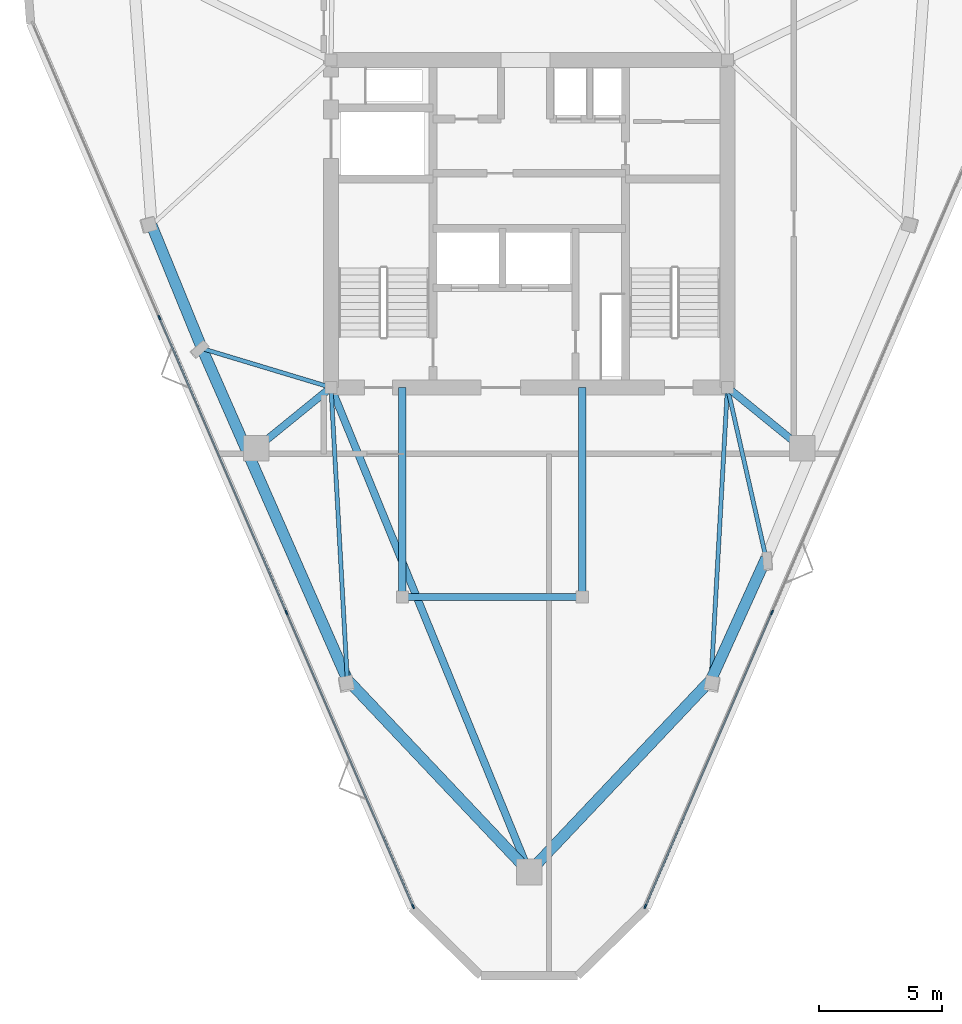
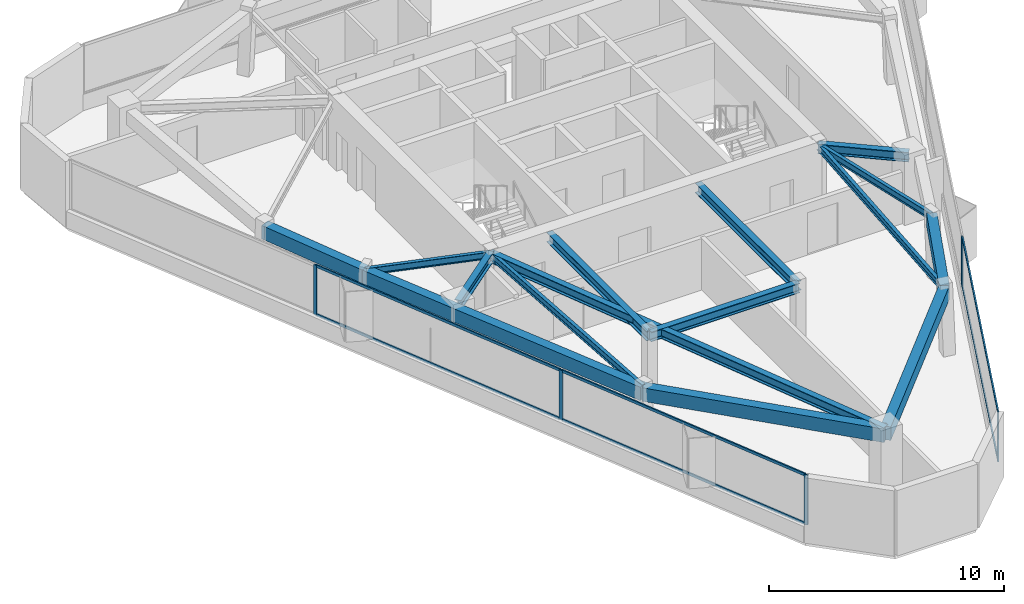
# One storey, part 2 of 9: 15 beams, 11 members, 2 elements without a shape of their own.
"""IFC4 building model written with IfcOpenShell, lengths in metres."""

from ifc_helpers import new_model, si_unit, direction, frame, origin, origin_2d, place, context, subcontext, project, spatial, rectangle, i_section, extrude, material, layer, layer_set, material_profile, profile_set, type_object, element, aggregate, save


model = new_model("IFC4")

# Units and contexts
model_context = context("Model", 3, precision=1e-05, world=origin(), true_north=direction((0.0, 1.0)))
body_context = subcontext(model_context, "Body", "Model", "MODEL_VIEW")
ifc_project = project(units=[si_unit("LENGTHUNIT", "METRE"), si_unit("AREAUNIT", "SQUARE_METRE"), si_unit("VOLUMEUNIT", "CUBIC_METRE"), si_unit("PLANEANGLEUNIT", "RADIAN"), si_unit("MASSUNIT", "GRAM", prefix="KILO")], contexts=[model_context])

# Site, building, storey
site_placement = place(None, origin())
site = spatial("IfcSite", under=ifc_project, at=site_placement, CompositionType="ELEMENT")
building_placement = place(site_placement, origin())
building = spatial("IfcBuilding", under=site, at=building_placement, Name="Talyreon Biosciences Tower", CompositionType="ELEMENT")
storey_placement = place(building_placement, frame((0.0, 0.0, 305.699951171875)))
storey = spatial("IfcBuildingStorey", under=building, at=storey_placement, Name="L81", CompositionType="ELEMENT", Elevation=305.699951171875)

# Curtain wall, members
ifc_material_1 = material(Name="Thermally broken aluminium and low-E glazing", Category="aluminium")
ifc_layer = layer(ifc_material_1, 0.175048828125)
ifc_layer_set = layer_set([ifc_layer], Name="Thermally broken aluminium and low-E glazing")
curtain_wall_type = type_object("IfcCurtainWallType", Name="CurtainWall_Zone5CompLab", PredefinedType="NOTDEFINED", material=ifc_layer_set)
curtain_wall_1_placement = place(storey_placement, origin())
curtain_wall_1 = element("IfcCurtainWall", 1, at=curtain_wall_1_placement, inside=storey, type_object=curtain_wall_type, Name="L81 Unitised Curtain Wall FCW-L81-00", PredefinedType="NOTDEFINED")
ifc_material_2 = material(Name="Anodised thermally broken aluminium", Category="aluminium")
ifc_material_profile_1 = material_profile(ifc_material_2, rectangle(XDim=0.06494140625, YDim=0.179931640625, at=origin_2d()), Name="ALUM MULLION 65x180")
ifc_profile_set_1 = profile_set([ifc_material_profile_1], Name="Anodised thermally broken aluminium")
member_type_1 = type_object("IfcMemberType", Name="CWMullion_65x180", PredefinedType="MULLION", material=ifc_profile_set_1)
member_1_placement = place(storey_placement, frame((61.28515625, 40.27099609375, 0.81005859375), z_axis=(0.0, 0.0, 1.0), x_axis=(-0.918363311246, -0.395738333444, 0.0)))
member_1 = element("IfcMember", 2, at=member_1_placement, type_object=member_type_1, Name="CW6 mullion 1", PredefinedType="MULLION", context=body_context, shape_type="SweptSolid", body=[
    extrude(rectangle(XDim=0.06494140625, YDim=0.179931640625, at=origin_2d()), origin(), (0.0, 0.0, 1.0), 2.590087890625),
])
member_2_placement = place(storey_placement, frame((56.138916015625, 52.213134765625, 0.81005859375), z_axis=(0.0, 0.0, 1.0), x_axis=(-0.918363311246, -0.395738333444, 0.0)))
member_2 = element("IfcMember", 3, at=member_2_placement, type_object=member_type_1, Name="CW6 mullion 2", PredefinedType="MULLION", context=body_context, shape_type="SweptSolid", body=[
    extrude(rectangle(XDim=0.06494140625, YDim=0.179931640625, at=origin_2d()), origin(), (0.0, 0.0, 1.0), 2.590087890625),
])
member_3_placement = place(storey_placement, frame((50.97998046875, 64.185302734375, 0.81005859375), z_axis=(0.0, 0.0, 1.0), x_axis=(-0.918363311246, -0.395738333444, 0.0)))
member_3 = element("IfcMember", 4, at=member_3_placement, type_object=member_type_1, Name="CW6 mullion 3", PredefinedType="MULLION", context=body_context, shape_type="SweptSolid", body=[
    extrude(rectangle(XDim=0.06494140625, YDim=0.179931640625, at=origin_2d()), origin(), (0.0, 0.0, 1.0), 2.590087890625),
])

curtain_wall_2_placement = place(storey_placement, origin())
curtain_wall_2 = element("IfcCurtainWall", 5, at=curtain_wall_2_placement, inside=storey, type_object=curtain_wall_type, Name="L81 Unitised Curtain Wall FCW-L81-08", PredefinedType="NOTDEFINED")
member_4_placement = place(storey_placement, frame((75.861083984375, 52.213134765625, 0.81005859375), z_axis=(0.0, 0.0, 1.0), x_axis=(0.918363311246, -0.395738333444, 0.0)))
member_4 = element("IfcMember", 6, at=member_4_placement, type_object=member_type_1, Name="CW6 mullion 3", PredefinedType="MULLION", context=body_context, shape_type="SweptSolid", body=[
    extrude(rectangle(XDim=0.06494140625, YDim=0.179931640625, at=origin_2d()), origin(), (0.0, 0.0, 1.0), 2.590087890625),
])
member_5_placement = place(storey_placement, frame((70.71484375, 40.27099609375, 0.81005859375), z_axis=(0.0, 0.0, 1.0), x_axis=(0.918363311246, -0.395738333444, 0.0)))
member_5 = element("IfcMember", 7, at=member_5_placement, type_object=member_type_1, Name="CW6 mullion 4", PredefinedType="MULLION", context=body_context, shape_type="SweptSolid", body=[
    extrude(rectangle(XDim=0.06494140625, YDim=0.179931640625, at=origin_2d()), origin(), (0.0, 0.0, 1.0), 2.590087890625),
])

# Member
ifc_material_profile_2 = material_profile(ifc_material_2, rectangle(XDim=0.06494140625, YDim=0.139892578125, at=origin_2d()), Name="ALUM TRANSOM 65x140")
ifc_profile_set_2 = profile_set([ifc_material_profile_2], Name="Anodised thermally broken aluminium")
member_type_2 = type_object("IfcMemberType", Name="CWTransom_65x140", PredefinedType="USERDEFINED", material=ifc_profile_set_2)
member_6_placement = place(storey_placement, frame((61.272216796875, 40.30078125, 0.842529296875), z_axis=(-0.395735791356, 0.918364406671, 0.0), x_axis=(-0.918364406671, -0.395735791356, 0.0)))
member_6 = element("IfcMember", 8, at=member_6_placement, type_object=member_type_2, Name="CW6 transom 1.1", ObjectType="TRANSOM", PredefinedType="USERDEFINED", context=body_context, shape_type="SweptSolid", body=[
    extrude(rectangle(XDim=0.06494140625, YDim=0.139892578125, at=origin_2d()), origin(), (0.0, 0.0, 1.0), 12.938720703125),
])

member_7_placement = place(storey_placement, frame((61.272216796875, 40.30078125, 3.367431640625), z_axis=(-0.395735791356, 0.918364406671, 0.0), x_axis=(-0.918364406671, -0.395735791356, 0.0)))
member_7 = element("IfcMember", 9, at=member_7_placement, type_object=member_type_2, Name="CW6 transom 1.2", ObjectType="TRANSOM", PredefinedType="USERDEFINED", context=body_context, shape_type="SweptSolid", body=[
    extrude(rectangle(XDim=0.06494140625, YDim=0.139892578125, at=origin_2d()), origin(), (0.0, 0.0, 1.0), 12.938720703125),
])

member_8_placement = place(storey_placement, frame((56.126220703125, 52.242919921875, 0.842529296875), z_axis=(-0.395742593834, 0.91836147536, 0.0), x_axis=(-0.91836147536, -0.395742593834, 0.0)))
member_8 = element("IfcMember", 10, at=member_8_placement, type_object=member_type_2, Name="CW6 transom 2.1", ObjectType="TRANSOM", PredefinedType="USERDEFINED", context=body_context, shape_type="SweptSolid", body=[
    extrude(rectangle(XDim=0.06494140625, YDim=0.139892578125, at=origin_2d()), origin(), (0.0, 0.0, 1.0), 12.97119140625),
])

member_9_placement = place(storey_placement, frame((56.126220703125, 52.242919921875, 3.367431640625), z_axis=(-0.395742593834, 0.91836147536, 0.0), x_axis=(-0.91836147536, -0.395742593834, 0.0)))
member_9 = element("IfcMember", 11, at=member_9_placement, type_object=member_type_2, Name="CW6 transom 2.2", ObjectType="TRANSOM", PredefinedType="USERDEFINED", context=body_context, shape_type="SweptSolid", body=[
    extrude(rectangle(XDim=0.06494140625, YDim=0.139892578125, at=origin_2d()), origin(), (0.0, 0.0, 1.0), 12.97119140625),
])

aggregate(curtain_wall_1, [member_1, member_2, member_3, member_6, member_7, member_8, member_9])

member_10_placement = place(storey_placement, frame((75.84814453125, 52.183349609375, 0.842529296875), z_axis=(-0.395735791356, -0.918364406671, 0.0), x_axis=(0.918364406671, -0.395735791356, 0.0)))
member_10 = element("IfcMember", 12, at=member_10_placement, type_object=member_type_2, Name="CW6 transom 3.1", ObjectType="TRANSOM", PredefinedType="USERDEFINED", context=body_context, shape_type="SweptSolid", body=[
    extrude(rectangle(XDim=0.06494140625, YDim=0.139892578125, at=origin_2d()), origin(), (0.0, 0.0, 1.0), 12.938720703125),
])

member_11_placement = place(storey_placement, frame((75.84814453125, 52.183349609375, 3.367431640625), z_axis=(-0.395735791356, -0.918364406671, 0.0), x_axis=(0.918364406671, -0.395735791356, 0.0)))
member_11 = element("IfcMember", 13, at=member_11_placement, type_object=member_type_2, Name="CW6 transom 3.2", ObjectType="TRANSOM", PredefinedType="USERDEFINED", context=body_context, shape_type="SweptSolid", body=[
    extrude(rectangle(XDim=0.06494140625, YDim=0.139892578125, at=origin_2d()), origin(), (0.0, 0.0, 1.0), 12.938720703125),
])

aggregate(curtain_wall_2, [member_4, member_5, member_10, member_11])

# Beams
ifc_material_3 = material(Name="Precast concrete C45/55", Category="concrete")
ifc_material_profile_3 = material_profile(ifc_material_3, rectangle(XDim=0.449951171875, YDim=0.699951171875, at=origin_2d()), Name="RCB 450x700")
ifc_profile_set_3 = profile_set([ifc_material_profile_3], Name="Precast concrete C45/55")
beam_type_1 = type_object("IfcBeamType", Name="ExpressedSpandrel_450x700", PredefinedType="SPANDREL", material=ifc_profile_set_3)
beam_1_placement = place(storey_placement, frame((66.0, 41.6669921875, 3.050048828125), z_axis=(0.686955378196, 0.726699599812, 0.0), x_axis=(-0.726699599812, 0.686955378196, 0.0)))
element("IfcBeam", 14, at=beam_1_placement, inside=storey, type_object=beam_type_1, Name="L81 Expressed Horizontal Concrete Spandrel 01", PredefinedType="SPANDREL", context=body_context, shape_type="SweptSolid", body=[
    extrude(rectangle(XDim=0.449951171875, YDim=0.699951171875, at=origin_2d()), origin(), (0.0, 0.0, 1.0), 10.756103515625),
])
for number, where, z_axis, x_axis, name in (
    (15, (73.388916015625, 49.4833984375, 3.050048828125), (0.412487068164, 0.910963456236, 0.0), (-0.910963456236, 0.412487068164, 0.0), "L81 Expressed Horizontal Concrete Spandrel 02"),
    (16, (50.6611328125, 67.9404296875, 3.050048828125), (0.378559063702, -0.925577136326, 0.0), (0.925577136326, 0.378559063702, 0.0), "L81 Expressed Horizontal Concrete Spandrel 10"),
):
    element("IfcBeam", number, at=place(storey_placement, frame(where, z_axis=z_axis, x_axis=x_axis)), inside=storey, type_object=beam_type_1, Name=name, PredefinedType="SPANDREL", context=body_context, shape_type="SweptSolid", body=[
        extrude(rectangle(XDim=0.449951171875, YDim=0.699951171875, at=origin_2d()), origin(), (0.0, 0.0, 1.0), 5.41162109375),
    ])
beam_2_placement = place(storey_placement, frame((52.709716796875, 62.931640625, 3.050048828125), z_axis=(0.401833683427, -0.915712668288, 0.0), x_axis=(0.915712668288, 0.401833683427, 0.0)))
element("IfcBeam", 17, at=beam_2_placement, inside=storey, type_object=beam_type_1, Name="L81 Expressed Horizontal Concrete Spandrel 11", PredefinedType="SPANDREL", context=body_context, shape_type="SweptSolid", body=[
    extrude(rectangle(XDim=0.449951171875, YDim=0.699951171875, at=origin_2d()), origin(), (0.0, 0.0, 1.0), 14.68603515625),
])
beam_3_placement = place(storey_placement, frame((58.611083984375, 49.4833984375, 3.050048828125), z_axis=(0.686955378196, -0.726699599812, 0.0), x_axis=(0.726699599812, 0.686955378196, 0.0)))
element("IfcBeam", 18, at=beam_3_placement, inside=storey, type_object=beam_type_1, Name="L81 Expressed Horizontal Concrete Spandrel 12", PredefinedType="SPANDREL", context=body_context, shape_type="SweptSolid", body=[
    extrude(rectangle(XDim=0.449951171875, YDim=0.699951171875, at=origin_2d()), origin(), (0.0, 0.0, 1.0), 10.756103515625),
])
ifc_material_4 = material(Name="Steel SM355", Category="steel")
ifc_material_profile_4 = material_profile(ifc_material_4, i_section(OverallWidth=0.300048828125, OverallDepth=0.5, WebThickness=0.014404296875, FlangeThickness=0.028076171875, FilletRadius=0.027099609375, at=origin_2d()), Name="HE500B")
ifc_profile_set_4 = profile_set([ifc_material_profile_4], Name="Steel SM355")
beam_type_2 = type_object("IfcBeamType", Name="SteelBeam_HE500B", PredefinedType="BEAM", material=ifc_profile_set_4)
beam_4_placement = place(storey_placement, frame((57.949951171875, 61.35009765625, 3.150146484375), z_axis=(0.378547014545, -0.925582064314, 0.0), x_axis=(0.925582064314, 0.378547014545, 0.0)))
element("IfcBeam", 19, at=beam_4_placement, inside=storey, type_object=beam_type_2, Name="L81 Radial Primary Girder 1", PredefinedType="BEAM", context=body_context, shape_type="SweptSolid", body=[
    extrude(i_section(OverallWidth=0.300048828125, OverallDepth=0.5, WebThickness=0.014404296875, FlangeThickness=0.028076171875, FilletRadius=0.027099609375, at=origin_2d()), origin(), (0.0, 0.0, 1.0), 21.265625),
])
for number, where, z_axis, x_axis, name in (
    (20, (74.050048828125, 61.35009765625, 3.150146484375), (0.775755154013, -0.631034025249, 0.0), (0.631034025249, 0.775755154013, 0.0), "L81 Radial Primary Girder 2"),
    (21, (57.949951171875, 61.35009765625, 3.150146484375), (-0.775755154013, -0.631034025249, 0.0), (0.631034025249, -0.775755154013, 0.0), "L81 Radial Primary Girder 6"),
):
    element("IfcBeam", number, at=place(storey_placement, frame(where, z_axis=z_axis, x_axis=x_axis)), inside=storey, type_object=beam_type_2, Name=name, PredefinedType="BEAM", context=body_context, shape_type="SweptSolid", body=[
        extrude(i_section(OverallWidth=0.300048828125, OverallDepth=0.5, WebThickness=0.014404296875, FlangeThickness=0.028076171875, FilletRadius=0.027099609375, at=origin_2d()), origin(), (0.0, 0.0, 1.0), 3.913818359375),
    ])
beam_5_placement = place(storey_placement, frame((60.85009765625, 52.840087890625, 3.150146484375), z_axis=(1.0, 0.0, 0.0), x_axis=(0.0, 1.0, 0.0)))
element("IfcBeam", 22, at=beam_5_placement, inside=storey, type_object=beam_type_2, Name="L81 Crown Shaft Spine Girder S", PredefinedType="BEAM", context=body_context, shape_type="SweptSolid", body=[
    extrude(i_section(OverallWidth=0.300048828125, OverallDepth=0.5, WebThickness=0.014404296875, FlangeThickness=0.028076171875, FilletRadius=0.027099609375, at=origin_2d()), origin(), (0.0, 0.0, 1.0), 7.2998046875),
])
for number, where, z_axis, x_axis, name in (
    (23, (60.85009765625, 52.840087890625, 3.150146484375), (0.0, 1.0, 0.0), (-1.0, 0.0, 0.0), "L81 Crown Shaft Tie Girder W"),
    (24, (68.14990234375, 52.840087890625, 3.150146484375), (0.0, 1.0, 0.0), (-1.0, 0.0, 0.0), "L81 Crown Shaft Tie Girder E"),
):
    element("IfcBeam", number, at=place(storey_placement, frame(where, z_axis=z_axis, x_axis=x_axis)), inside=storey, type_object=beam_type_2, Name=name, PredefinedType="BEAM", context=body_context, shape_type="SweptSolid", body=[
        extrude(i_section(OverallWidth=0.300048828125, OverallDepth=0.5, WebThickness=0.014404296875, FlangeThickness=0.028076171875, FilletRadius=0.027099609375, at=origin_2d()), origin(), (0.0, 0.0, 1.0), 8.510009765625),
    ])
ifc_material_profile_5 = material_profile(ifc_material_4, i_section(OverallWidth=0.169921875, OverallDepth=0.360107421875, WebThickness=0.008056640625, FlangeThickness=0.0126953125, FilletRadius=0.01806640625, at=origin_2d()), Name="IPE360")
ifc_profile_set_5 = profile_set([ifc_material_profile_5], Name="Steel SM355")
beam_type_3 = type_object("IfcBeamType", Name="SteelJoist_IPE360", PredefinedType="JOIST", material=ifc_profile_set_5)
beam_6_placement = place(storey_placement, frame((74.050048828125, 61.35009765625, 3.219970703125), z_axis=(-0.055627021005, -0.998451618524, 0.0), x_axis=(0.998451618524, -0.055627021005, 0.0)))
element("IfcBeam", 25, at=beam_6_placement, inside=storey, type_object=beam_type_3, Name="L81 Radial Composite Floor Joist PC-SE1", PredefinedType="JOIST", context=body_context, shape_type="SweptSolid", body=[
    extrude(i_section(OverallWidth=0.169921875, OverallDepth=0.360107421875, WebThickness=0.008056640625, FlangeThickness=0.0126953125, FilletRadius=0.01806640625, at=origin_2d()), origin(), (0.0, 0.0, 1.0), 11.885009765625),
])
beam_7_placement = place(storey_placement, frame((74.050048828125, 61.35009765625, 3.219970703125), z_axis=(0.220879248963, -0.975301162399, 0.0), x_axis=(0.975301162399, 0.220879248963, 0.0)))
element("IfcBeam", 26, at=beam_7_placement, inside=storey, type_object=beam_type_3, Name="L81 Radial Composite Floor Joist PL-SE", PredefinedType="JOIST", context=body_context, shape_type="SweptSolid", body=[
    extrude(i_section(OverallWidth=0.169921875, OverallDepth=0.360107421875, WebThickness=0.008056640625, FlangeThickness=0.0126953125, FilletRadius=0.01806640625, at=origin_2d()), origin(), (0.0, 0.0, 1.0), 7.11279296875),
])
beam_8_placement = place(storey_placement, frame((57.949951171875, 61.35009765625, 3.219970703125), z_axis=(-0.957348663455, 0.288935177127, 0.0), x_axis=(-0.288935177127, -0.957348663455, 0.0)))
element("IfcBeam", 27, at=beam_8_placement, inside=storey, type_object=beam_type_3, Name="L81 Radial Composite Floor Joist PL-SW", PredefinedType="JOIST", context=body_context, shape_type="SweptSolid", body=[
    extrude(i_section(OverallWidth=0.169921875, OverallDepth=0.360107421875, WebThickness=0.008056640625, FlangeThickness=0.0126953125, FilletRadius=0.01806640625, at=origin_2d()), origin(), (0.0, 0.0, 1.0), 5.4736328125),
])
beam_9_placement = place(storey_placement, frame((57.949951171875, 61.35009765625, 3.219970703125), z_axis=(0.055627021005, -0.998451618524, 0.0), x_axis=(0.998451618524, 0.055627021005, 0.0)))
element("IfcBeam", 28, at=beam_9_placement, inside=storey, type_object=beam_type_3, Name="L81 Radial Composite Floor Joist PC-SW2", PredefinedType="JOIST", context=body_context, shape_type="SweptSolid", body=[
    extrude(i_section(OverallWidth=0.169921875, OverallDepth=0.360107421875, WebThickness=0.008056640625, FlangeThickness=0.0126953125, FilletRadius=0.01806640625, at=origin_2d()), origin(), (0.0, 0.0, 1.0), 11.885009765625),
])

save(model, "model.ifc")
